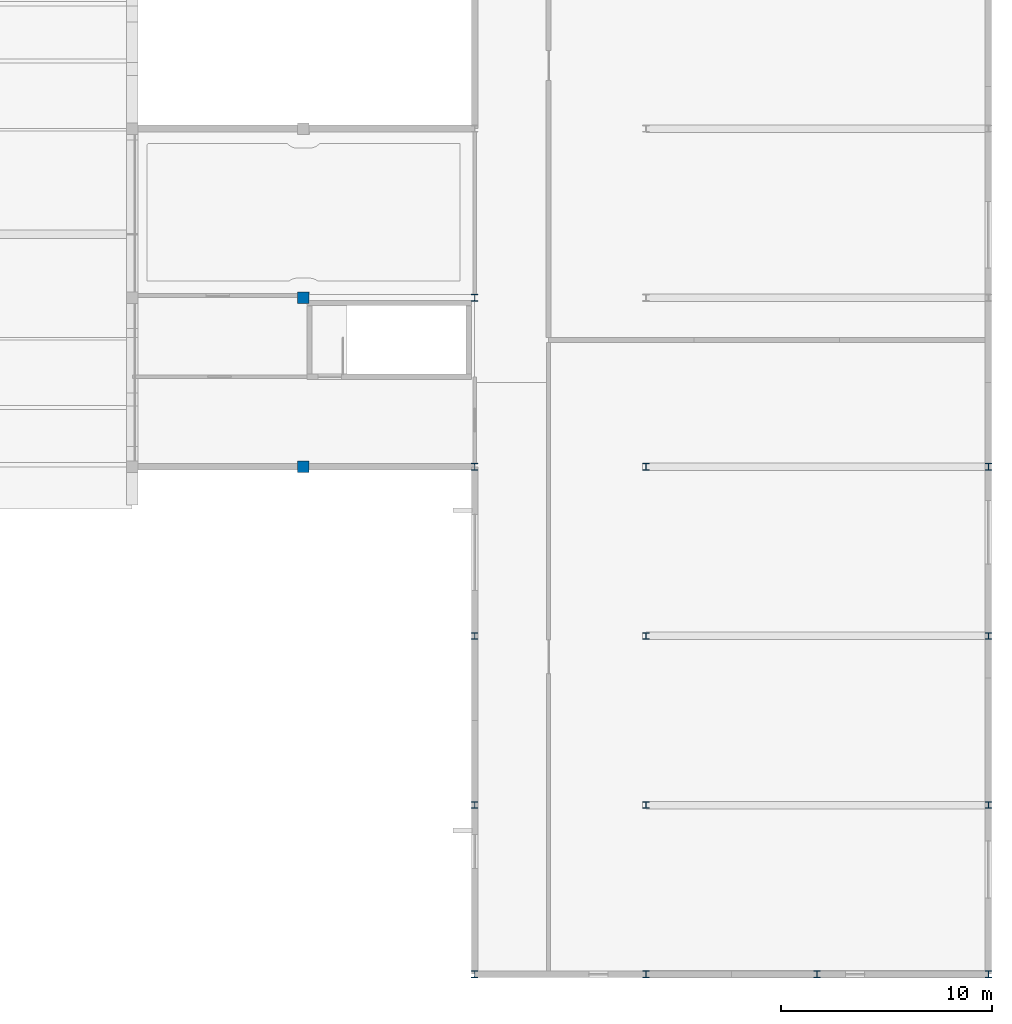
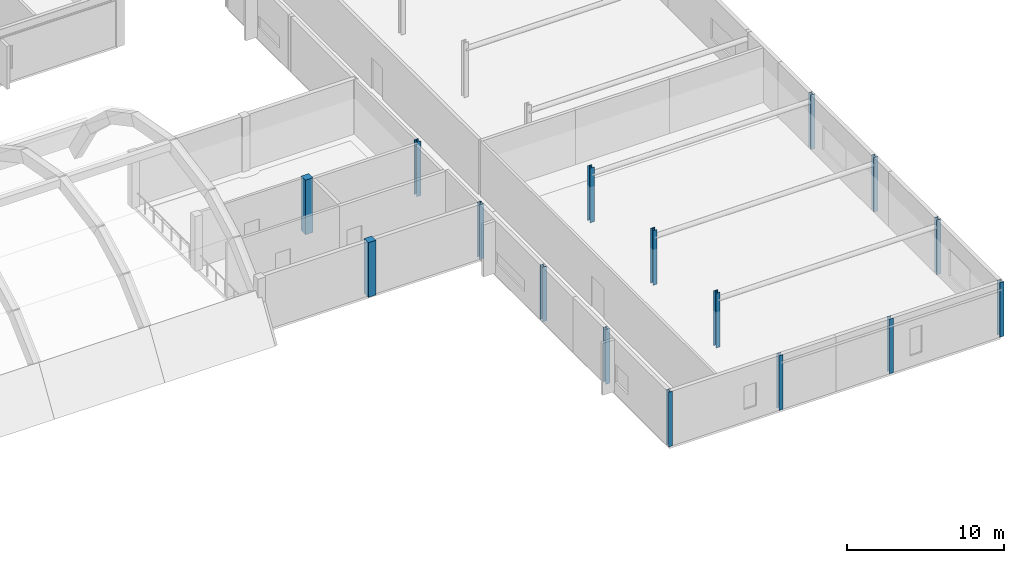
# One storey, part 2 of 67: 16 columns.
"""IFC4 building model written with IfcOpenShell, lengths in metres."""

from ifc_helpers import new_model, si_unit, direction, frame, origin, origin_2d, place, context, subcontext, project, spatial, rectangle, i_section, extrude, material, material_profile, profile_set, type_object, element, save


model = new_model("IFC4")

# Units and contexts
model_context = context("Model", 3, precision=1e-05, world=origin(), true_north=direction((0.0, 1.0)))
body_context = subcontext(model_context, "Body", "Model", "MODEL_VIEW")
ifc_project = project(units=[si_unit("LENGTHUNIT", "METRE"), si_unit("AREAUNIT", "SQUARE_METRE"), si_unit("VOLUMEUNIT", "CUBIC_METRE"), si_unit("PLANEANGLEUNIT", "RADIAN"), si_unit("MASSUNIT", "GRAM", prefix="KILO")], contexts=[model_context])

# Site, building, storey
site_placement = place(None, origin())
site = spatial("IfcSite", under=ifc_project, at=site_placement, CompositionType="ELEMENT")
building_placement = place(site_placement, origin())
building = spatial("IfcBuilding", under=site, at=building_placement, Name="Tarnveldt Square Police Headquarters", CompositionType="ELEMENT")
storey_placement = place(building_placement, frame((0.0, 0.0, 10.199951171875)))
storey = spatial("IfcBuildingStorey", under=building, at=storey_placement, Name="L02", CompositionType="ELEMENT", Elevation=10.199951171875)

# Columns
ifc_material_1 = material(Name="Concrete 40 MPa", Category="concrete")
ifc_material_profile_1 = material_profile(ifc_material_1, rectangle(XDim=0.550048828125, YDim=0.550048828125, at=origin_2d()), Name="RC-C550x550")
ifc_profile_set_1 = profile_set([ifc_material_profile_1], Name="Concrete 40 MPa")
column_type_1 = type_object("IfcColumnType", Name="COL-RC550", PredefinedType="COLUMN", material=ifc_profile_set_1)
for number, where, z_axis, x_axis, name in (
    (1, (129.60009765625, 24.0, 0.0), (0.0, 0.0, 1.0), (1.0, 0.0, 0.0), "L02 Column 169"),
    (2, (129.60009765625, 32.0, 0.0), (0.0, 0.0, 1.0), (1.0, 0.0, 0.0), "L02 Column 170"),
):
    element("IfcColumn", number, at=place(storey_placement, frame(where, z_axis=z_axis, x_axis=x_axis)), inside=storey, type_object=column_type_1, Name=name, PredefinedType="COLUMN", context=body_context, shape_type="SweptSolid", body=[
        extrude(rectangle(XDim=0.550048828125, YDim=0.550048828125, at=origin_2d()), origin(), (0.0, 0.0, 1.0), 4.239990234375),
    ])
ifc_material_2 = material(Name="Steel 350W", Category="steel")
ifc_material_profile_2 = material_profile(ifc_material_2, i_section(OverallWidth=0.30908203125, OverallDepth=0.322998046875, WebThickness=0.013916015625, FlangeThickness=0.02294921875, FilletRadius=0.014892578125, at=origin_2d()), Name="W310x143")
ifc_profile_set_2 = profile_set([ifc_material_profile_2], Name="Steel 350W")
column_type_2 = type_object("IfcColumnType", Name="COL-W310x143", PredefinedType="COLUMN", material=ifc_profile_set_2)
for number, where, z_axis, x_axis, name in (
    (3, (137.699951171875, 0.0, 0.0), (0.0, 0.0, 1.0), (1.0, 0.0, 0.0), "L02 Column 185"),
    (4, (137.699951171875, 8.0, 0.0), (0.0, 0.0, 1.0), (1.0, 0.0, 0.0), "L02 Column 186"),
    (5, (137.699951171875, 16.0, 0.0), (0.0, 0.0, 1.0), (1.0, 0.0, 0.0), "L02 Column 187"),
    (6, (137.699951171875, 24.0, 0.0), (0.0, 0.0, 1.0), (1.0, 0.0, 0.0), "L02 Column 188"),
    (7, (137.699951171875, 32.0, 0.0), (0.0, 0.0, 1.0), (1.0, 0.0, 0.0), "L02 Column 189"),
    (8, (145.800048828125, 0.0, 0.0), (0.0, 0.0, 1.0), (1.0, 0.0, 0.0), "L02 Column 193"),
    (9, (145.800048828125, 8.0, 0.0), (0.0, 0.0, 1.0), (1.0, 0.0, 0.0), "L02 Column 194"),
    (10, (145.800048828125, 16.0, 0.0), (0.0, 0.0, 1.0), (1.0, 0.0, 0.0), "L02 Column 195"),
    (11, (145.800048828125, 24.0, 0.0), (0.0, 0.0, 1.0), (1.0, 0.0, 0.0), "L02 Column 196"),
    (12, (153.89990234375, 0.0, 0.0), (0.0, 0.0, 1.0), (1.0, 0.0, 0.0), "L02 Column 201"),
    (13, (162.0, 0.0, 0.0), (0.0, 0.0, 1.0), (1.0, 0.0, 0.0), "L02 Column 203"),
    (14, (162.0, 8.0, 0.0), (0.0, 0.0, 1.0), (1.0, 0.0, 0.0), "L02 Column 204"),
    (15, (162.0, 16.0, 0.0), (0.0, 0.0, 1.0), (1.0, 0.0, 0.0), "L02 Column 205"),
    (16, (162.0, 24.0, 0.0), (0.0, 0.0, 1.0), (1.0, 0.0, 0.0), "L02 Column 206"),
):
    element("IfcColumn", number, at=place(storey_placement, frame(where, z_axis=z_axis, x_axis=x_axis)), inside=storey, type_object=column_type_2, Name=name, PredefinedType="COLUMN", context=body_context, shape_type="SweptSolid", body=[
        extrude(i_section(OverallWidth=0.30908203125, OverallDepth=0.322998046875, WebThickness=0.013916015625, FlangeThickness=0.02294921875, FilletRadius=0.014892578125, at=origin_2d()), origin(), (0.0, 0.0, 1.0), 4.239990234375),
    ])

save(model, "model.ifc")
